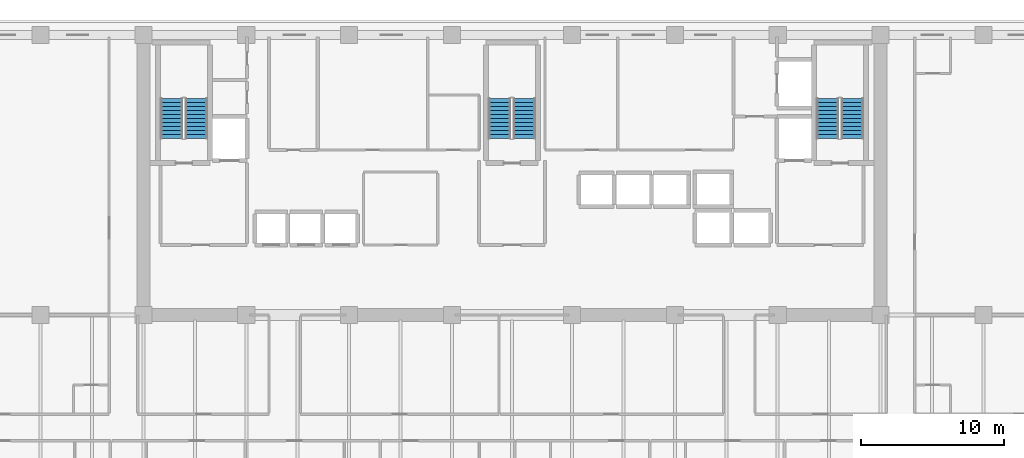
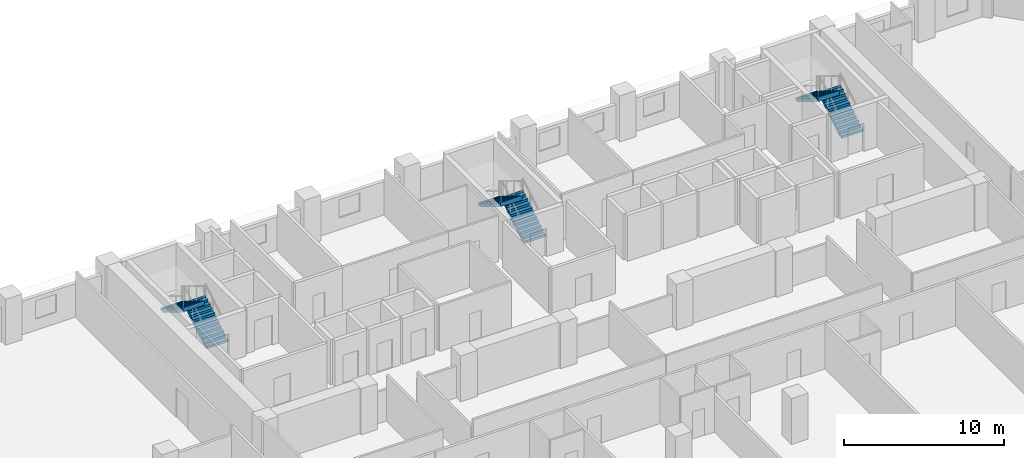
# One storey, part 10 of 14: 6 stair flights, 3 elements without a shape of their own.
"""IFC4 building model written with IfcOpenShell, lengths in metres."""

from ifc_helpers import new_model, si_unit, direction, frame, origin, place, context, subcontext, project, spatial, polyline, outline, extrude, material, type_object, element, aggregate, save


model = new_model("IFC4")

# Units and contexts
model_context = context("Model", 3, precision=1e-05, world=origin(), true_north=direction((0.0, 1.0)))
body_context = subcontext(model_context, "Body", "Model", "MODEL_VIEW")
ifc_project = project(units=[si_unit("LENGTHUNIT", "METRE"), si_unit("AREAUNIT", "SQUARE_METRE"), si_unit("VOLUMEUNIT", "CUBIC_METRE"), si_unit("PLANEANGLEUNIT", "RADIAN"), si_unit("MASSUNIT", "GRAM", prefix="KILO")], contexts=[model_context])

# Site, building, storey
site_placement = place(None, origin())
site = spatial("IfcSite", under=ifc_project, at=site_placement, CompositionType="ELEMENT")
building_placement = place(site_placement, origin())
building = spatial("IfcBuilding", under=site, at=building_placement, Name="Kaelvorn Grand Hotel", CompositionType="ELEMENT")
storey_placement = place(building_placement, frame((0.0, 0.0, 89.300048828125)))
storey = spatial("IfcBuildingStorey", under=building, at=storey_placement, Name="L20", CompositionType="ELEMENT", Elevation=89.300048828125)

# Stair, stair flights
ifc_material = material(Name="Concrete C40/50", Category="concrete")
stair_type = type_object("IfcStairType", Name="STR-DOG-1560-R06", PredefinedType="HALF_TURN_STAIR", material=ifc_material)
stair_1_placement = place(storey_placement, origin())
stair_1 = element("IfcStair", 1, at=stair_1_placement, inside=storey, type_object=stair_type, Name="L20 West Core Exit Stair ST1", PredefinedType="HALF_TURN_STAIR")
stair_flight_type = type_object("IfcStairFlightType", Name="FLG-DOG-1560-R06", PredefinedType="STRAIGHT", material=ifc_material)
stair_flight_1_placement = place(storey_placement, frame((19.89990234375, 41.760009765625, 0.0), z_axis=(0.0, 0.0, 1.0), x_axis=(0.0, 1.0, 0.0)))
stair_flight_1 = element("IfcStairFlight", 2, at=stair_flight_1_placement, type_object=stair_flight_type, Name="ST1 flight 1", NumberOfRisers=11, NumberOfTreads=10, PredefinedType="STRAIGHT", RiserHeight=0.170454545, TreadLength=0.28, context=body_context, shape_type="SweptSolid", body=[
    extrude(outline(polyline([(-0.0048828125, 0.0), (-0.0048828125, 0.0400390625), (0.0, 0.17041015625), (0.280029296875, 0.17041015625), (0.280029296875, 0.3408203125), (0.56005859375, 0.3408203125), (0.56005859375, 0.511474609375), (0.840087890625, 0.511474609375), (0.840087890625, 0.681884765625), (1.1201171875, 0.681884765625), (1.1201171875, 0.852294921875), (1.39990234375, 0.852294921875), (1.39990234375, 1.022705078125), (1.679931640625, 1.022705078125), (1.679931640625, 1.193115234375), (1.9599609375, 1.193115234375), (1.9599609375, 1.363525390625), (2.239990234375, 1.363525390625), (2.239990234375, 1.5341796875), (2.52001953125, 1.5341796875), (2.52001953125, 1.70458984375), (2.800048828125, 1.70458984375), (2.800048828125, 1.875), (2.804931640625, 1.875), (2.804931640625, 1.529052734375), (0.288330078125, 0.0), (-0.0048828125, 0.0)])), frame((0.0, 0.780029296875, 0.0), z_axis=(0.0, -1.0, 0.0), x_axis=(1.0, 0.0, 0.0)), (0.0, 0.0, 1.0), 1.56005859375),
])
stair_flight_2_placement = place(storey_placement, frame((18.179931640625, 44.56005859375, 1.875), z_axis=(0.0, 0.0, 1.0), x_axis=(0.0, -1.0, 0.0)))
stair_flight_2 = element("IfcStairFlight", 3, at=stair_flight_2_placement, type_object=stair_flight_type, Name="ST1 flight 2", NumberOfRisers=11, NumberOfTreads=10, PredefinedType="STRAIGHT", RiserHeight=0.170454545, TreadLength=0.28, context=body_context, shape_type="SweptSolid", body=[
    extrude(outline(polyline([(-0.0048828125, 0.0), (-0.0048828125, 0.0400390625), (0.0, 0.17041015625), (0.280029296875, 0.17041015625), (0.280029296875, 0.3408203125), (0.56005859375, 0.3408203125), (0.56005859375, 0.511474609375), (0.840087890625, 0.511474609375), (0.840087890625, 0.681884765625), (1.1201171875, 0.681884765625), (1.1201171875, 0.852294921875), (1.39990234375, 0.852294921875), (1.39990234375, 1.022705078125), (1.679931640625, 1.022705078125), (1.679931640625, 1.193115234375), (1.9599609375, 1.193115234375), (1.9599609375, 1.363525390625), (2.239990234375, 1.363525390625), (2.239990234375, 1.5341796875), (2.52001953125, 1.5341796875), (2.52001953125, 1.70458984375), (2.800048828125, 1.70458984375), (2.800048828125, 1.875), (2.804931640625, 1.875), (2.804931640625, 1.529052734375), (0.288330078125, 0.0), (-0.0048828125, 0.0)])), frame((0.0, 0.780029296875, 0.0), z_axis=(0.0, -1.0, 0.0), x_axis=(1.0, 0.0, 0.0)), (0.0, 0.0, 1.0), 1.56005859375),
])
aggregate(stair_1, [stair_flight_1, stair_flight_2])

stair_2_placement = place(storey_placement, origin())
stair_2 = element("IfcStair", 4, at=stair_2_placement, inside=storey, type_object=stair_type, Name="L20 Central Core Exit Stair ST2", PredefinedType="HALF_TURN_STAIR")
stair_flight_3_placement = place(storey_placement, frame((42.860107421875, 41.760009765625, 0.0), z_axis=(0.0, 0.0, 1.0), x_axis=(0.0, 1.0, 0.0)))
stair_flight_3 = element("IfcStairFlight", 5, at=stair_flight_3_placement, type_object=stair_flight_type, Name="ST2 flight 1", NumberOfRisers=11, NumberOfTreads=10, PredefinedType="STRAIGHT", RiserHeight=0.170454545, TreadLength=0.28, context=body_context, shape_type="SweptSolid", body=[
    extrude(outline(polyline([(-0.0048828125, 0.0), (-0.0048828125, 0.0400390625), (0.0, 0.17041015625), (0.280029296875, 0.17041015625), (0.280029296875, 0.3408203125), (0.56005859375, 0.3408203125), (0.56005859375, 0.511474609375), (0.840087890625, 0.511474609375), (0.840087890625, 0.681884765625), (1.1201171875, 0.681884765625), (1.1201171875, 0.852294921875), (1.39990234375, 0.852294921875), (1.39990234375, 1.022705078125), (1.679931640625, 1.022705078125), (1.679931640625, 1.193115234375), (1.9599609375, 1.193115234375), (1.9599609375, 1.363525390625), (2.239990234375, 1.363525390625), (2.239990234375, 1.5341796875), (2.52001953125, 1.5341796875), (2.52001953125, 1.70458984375), (2.800048828125, 1.70458984375), (2.800048828125, 1.875), (2.804931640625, 1.875), (2.804931640625, 1.529052734375), (0.288330078125, 0.0), (-0.0048828125, 0.0)])), frame((0.0, 0.780029296875, 0.0), z_axis=(0.0, -1.0, 0.0), x_axis=(1.0, 0.0, 0.0)), (0.0, 0.0, 1.0), 1.56005859375),
])
stair_flight_4_placement = place(storey_placement, frame((41.139892578125, 44.56005859375, 1.875), z_axis=(0.0, 0.0, 1.0), x_axis=(0.0, -1.0, 0.0)))
stair_flight_4 = element("IfcStairFlight", 6, at=stair_flight_4_placement, type_object=stair_flight_type, Name="ST2 flight 2", NumberOfRisers=11, NumberOfTreads=10, PredefinedType="STRAIGHT", RiserHeight=0.170454545, TreadLength=0.28, context=body_context, shape_type="SweptSolid", body=[
    extrude(outline(polyline([(-0.0048828125, 0.0), (-0.0048828125, 0.0400390625), (0.0, 0.17041015625), (0.280029296875, 0.17041015625), (0.280029296875, 0.3408203125), (0.56005859375, 0.3408203125), (0.56005859375, 0.511474609375), (0.840087890625, 0.511474609375), (0.840087890625, 0.681884765625), (1.1201171875, 0.681884765625), (1.1201171875, 0.852294921875), (1.39990234375, 0.852294921875), (1.39990234375, 1.022705078125), (1.679931640625, 1.022705078125), (1.679931640625, 1.193115234375), (1.9599609375, 1.193115234375), (1.9599609375, 1.363525390625), (2.239990234375, 1.363525390625), (2.239990234375, 1.5341796875), (2.52001953125, 1.5341796875), (2.52001953125, 1.70458984375), (2.800048828125, 1.70458984375), (2.800048828125, 1.875), (2.804931640625, 1.875), (2.804931640625, 1.529052734375), (0.288330078125, 0.0), (-0.0048828125, 0.0)])), frame((0.0, 0.780029296875, 0.0), z_axis=(0.0, -1.0, 0.0), x_axis=(1.0, 0.0, 0.0)), (0.0, 0.0, 1.0), 1.56005859375),
])
aggregate(stair_2, [stair_flight_3, stair_flight_4])

stair_3_placement = place(storey_placement, origin())
stair_3 = element("IfcStair", 7, at=stair_3_placement, inside=storey, type_object=stair_type, Name="L20 East Core Exit Stair ST3", PredefinedType="HALF_TURN_STAIR")
stair_flight_5_placement = place(storey_placement, frame((65.820068359375, 41.760009765625, 0.0), z_axis=(0.0, 0.0, 1.0), x_axis=(0.0, 1.0, 0.0)))
stair_flight_5 = element("IfcStairFlight", 8, at=stair_flight_5_placement, type_object=stair_flight_type, Name="ST3 flight 1", NumberOfRisers=11, NumberOfTreads=10, PredefinedType="STRAIGHT", RiserHeight=0.170454545, TreadLength=0.28, context=body_context, shape_type="SweptSolid", body=[
    extrude(outline(polyline([(-0.0048828125, 0.0), (-0.0048828125, 0.0400390625), (0.0, 0.17041015625), (0.280029296875, 0.17041015625), (0.280029296875, 0.3408203125), (0.56005859375, 0.3408203125), (0.56005859375, 0.511474609375), (0.840087890625, 0.511474609375), (0.840087890625, 0.681884765625), (1.1201171875, 0.681884765625), (1.1201171875, 0.852294921875), (1.39990234375, 0.852294921875), (1.39990234375, 1.022705078125), (1.679931640625, 1.022705078125), (1.679931640625, 1.193115234375), (1.9599609375, 1.193115234375), (1.9599609375, 1.363525390625), (2.239990234375, 1.363525390625), (2.239990234375, 1.5341796875), (2.52001953125, 1.5341796875), (2.52001953125, 1.70458984375), (2.800048828125, 1.70458984375), (2.800048828125, 1.875), (2.804931640625, 1.875), (2.804931640625, 1.529052734375), (0.288330078125, 0.0), (-0.0048828125, 0.0)])), frame((0.0, 0.780029296875, 0.0), z_axis=(0.0, -1.0, 0.0), x_axis=(1.0, 0.0, 0.0)), (0.0, 0.0, 1.0), 1.56005859375),
])
stair_flight_6_placement = place(storey_placement, frame((64.10009765625, 44.56005859375, 1.875), z_axis=(0.0, 0.0, 1.0), x_axis=(0.0, -1.0, 0.0)))
stair_flight_6 = element("IfcStairFlight", 9, at=stair_flight_6_placement, type_object=stair_flight_type, Name="ST3 flight 2", NumberOfRisers=11, NumberOfTreads=10, PredefinedType="STRAIGHT", RiserHeight=0.170454545, TreadLength=0.28, context=body_context, shape_type="SweptSolid", body=[
    extrude(outline(polyline([(-0.0048828125, 0.0), (-0.0048828125, 0.0400390625), (0.0, 0.17041015625), (0.280029296875, 0.17041015625), (0.280029296875, 0.3408203125), (0.56005859375, 0.3408203125), (0.56005859375, 0.511474609375), (0.840087890625, 0.511474609375), (0.840087890625, 0.681884765625), (1.1201171875, 0.681884765625), (1.1201171875, 0.852294921875), (1.39990234375, 0.852294921875), (1.39990234375, 1.022705078125), (1.679931640625, 1.022705078125), (1.679931640625, 1.193115234375), (1.9599609375, 1.193115234375), (1.9599609375, 1.363525390625), (2.239990234375, 1.363525390625), (2.239990234375, 1.5341796875), (2.52001953125, 1.5341796875), (2.52001953125, 1.70458984375), (2.800048828125, 1.70458984375), (2.800048828125, 1.875), (2.804931640625, 1.875), (2.804931640625, 1.529052734375), (0.288330078125, 0.0), (-0.0048828125, 0.0)])), frame((0.0, 0.780029296875, 0.0), z_axis=(0.0, -1.0, 0.0), x_axis=(1.0, 0.0, 0.0)), (0.0, 0.0, 1.0), 1.56005859375),
])
aggregate(stair_3, [stair_flight_5, stair_flight_6])

save(model, "model.ifc")
